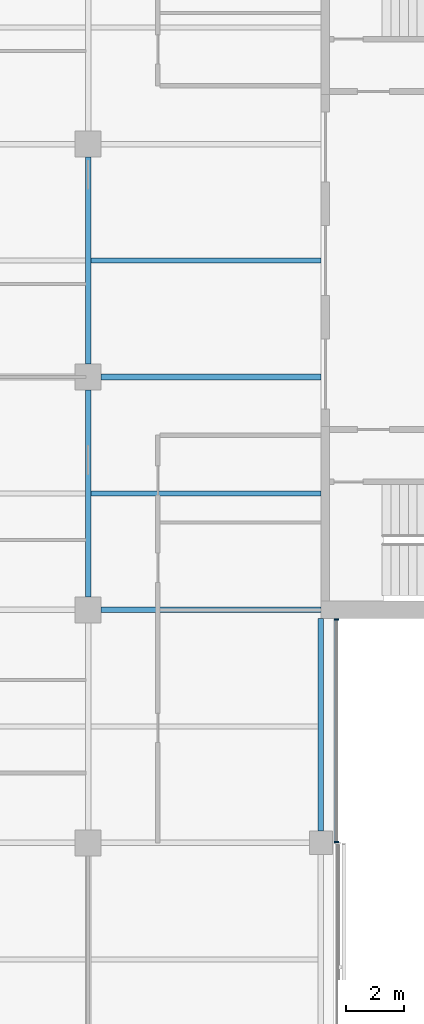
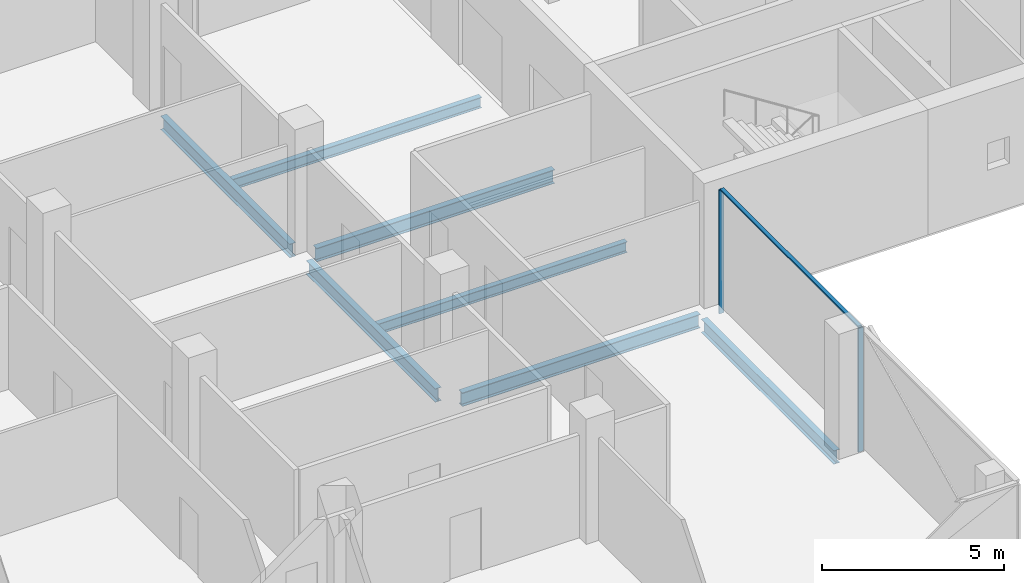
# One storey, part 4 of 15: 7 beams, 3 members, 1 element without a shape of its own.
"""IFC4 building model written with IfcOpenShell, lengths in metres."""

import ifcopenshell
import ifcopenshell.guid

model = None  # the IFC model being written
_history = None  # IfcOwnerHistory: only IFC2X3 demands one
_inside = {}  # id of a spatial element -> (the spatial element, [elements in it])
_under = {}  # id of a project, library or spatial element -> (it, [spatial elements below it])
_declared = {}  # id of a project -> (the project, [libraries it declares])
_typed = {}  # id of a type object -> (the type object, [elements of that type])
_made_of = {}  # id of a material, layer set ... -> (it, [elements and type objects made of it])


def new_model(schema):
    """Start an empty IFC model of exactly this schema.

    Asked for "IFC4X3", IfcOpenShell would pick the latest addendum, in which some entities
    have other attributes; the version numbers below select the first issue.
    IFC2X3 requires an IfcOwnerHistory on every rooted entity: one is made here for all.
    """
    global model, _history
    if schema == "IFC4X3":
        model = ifcopenshell.file(schema_version=(4, 3, 0, 0))
    else:
        model = ifcopenshell.file(schema=schema)
    _inside.clear()
    _under.clear()
    _declared.clear()
    _typed.clear()
    _made_of.clear()
    _history = None
    if model.schema == "IFC2X3":
        org = make("IfcOrganization", Name="unknown")
        user = make(
            "IfcPersonAndOrganization",
            ThePerson=make("IfcPerson", FamilyName="unknown"),
            TheOrganization=org,
        )
        app = make(
            "IfcApplication",
            ApplicationDeveloper=org,
            Version="unknown",
            ApplicationFullName="unknown",
            ApplicationIdentifier="unknown",
        )
        _history = make(
            "IfcOwnerHistory",
            OwningUser=user,
            OwningApplication=app,
            ChangeAction="ADDED",
            CreationDate=0,
        )
    return model


def make(cls, **values):
    """One entity of the class cls with the attributes given. An attribute that is None is left unset."""
    return model.create_entity(
        cls, **{name: value for name, value in values.items() if value is not None}
    )


def rooted(cls, **values):
    """An entity with a GlobalId (a new one), such as an element, a storey or a relation."""
    return make(cls, GlobalId=ifcopenshell.guid.new(), OwnerHistory=_history, **values)


def si_unit(unit_type, name, prefix=None):
    """IfcSIUnit, for example si_unit("LENGTHUNIT", "METRE", prefix="MILLI")."""
    return make("IfcSIUnit", UnitType=unit_type, Prefix=prefix, Name=name)


def assignment(units):
    """IfcUnitAssignment: the units of a project."""
    return None if units is None else make("IfcUnitAssignment", Units=units)


def point(xyz):
    """IfcCartesianPoint."""
    return None if xyz is None else make("IfcCartesianPoint", Coordinates=xyz)


def direction(xyz):
    """IfcDirection."""
    return None if xyz is None else make("IfcDirection", DirectionRatios=xyz)


def frame(location, z_axis=None, x_axis=None):
    """IfcAxis2Placement3D, a coordinate frame: its origin and axes. An axis left out is left unset."""
    return make(
        "IfcAxis2Placement3D",
        Location=point(location),
        Axis=direction(z_axis),
        RefDirection=direction(x_axis),
    )


def frame_2d(location, x_axis=None):
    """IfcAxis2Placement2D, a coordinate frame in the plane: its origin and x axis."""
    return make(
        "IfcAxis2Placement2D", Location=point(location), RefDirection=direction(x_axis)
    )


def origin():
    """The frame at (0, 0, 0) with its axes left unset."""
    return frame((0.0, 0.0, 0.0))


def origin_2d():
    """The frame at (0, 0) in the plane with its x axis left unset."""
    return frame_2d((0.0, 0.0))


def place(relative_to, where):
    """IfcLocalPlacement: puts the frame where relative to a parent placement (None: the world)."""
    return make(
        "IfcLocalPlacement", PlacementRelTo=relative_to, RelativePlacement=where
    )


def context(
    kind, dimensions, precision=None, world=None, true_north=None, identifier=None
):
    """IfcGeometricRepresentationContext, for example the 3D "Model" context."""
    return make(
        "IfcGeometricRepresentationContext",
        ContextIdentifier=identifier,
        ContextType=kind,
        CoordinateSpaceDimension=dimensions,
        Precision=precision,
        WorldCoordinateSystem=world,
        TrueNorth=true_north,
    )


def subcontext(parent, identifier, kind, view, scale=None):
    """IfcGeometricRepresentationSubContext, for example "Body" below "Model"."""
    return make(
        "IfcGeometricRepresentationSubContext",
        ContextIdentifier=identifier,
        ContextType=kind,
        ParentContext=parent,
        TargetScale=scale,
        TargetView=view,
    )


def project(units=None, contexts=None):
    """IfcProject with its units and contexts."""
    return rooted(
        "IfcProject",
        Name="project",
        RepresentationContexts=contexts,
        UnitsInContext=assignment(units),
    )


def spatial(cls, under=None, at=None, **own):
    """A site, building, storey or space (cls), placed at a placement, below another one or the project."""
    s = rooted(cls, ObjectPlacement=at, **own)
    if under is not None:
        _under.setdefault(under.id(), (under, []))[1].append(s)
    return s


def profile(cls, at=None, kind="AREA", **sizes):
    """A parametric profile (cls). Its sizes go by their IFC names, for example OverallWidth=200.0."""
    return make(cls, ProfileType=kind, Position=at, **sizes)


def rectangle(**sizes):
    """IfcRectangleProfileDef."""
    return profile("IfcRectangleProfileDef", **sizes)


def i_section(**sizes):
    """IfcIShapeProfileDef."""
    return profile("IfcIShapeProfileDef", **sizes)


def extrude(swept, where, along, depth):
    """IfcExtrudedAreaSolid: the profile swept, set in the frame where, extruded along a direction by depth."""
    return make(
        "IfcExtrudedAreaSolid",
        SweptArea=swept,
        Position=where,
        ExtrudedDirection=direction(along),
        Depth=depth,
    )


def shape(context_of_items, identifier, shape_type, items):
    """IfcShapeRepresentation: the items that make up one representation, for example the "Body"."""
    return make(
        "IfcShapeRepresentation",
        ContextOfItems=context_of_items,
        RepresentationIdentifier=identifier,
        RepresentationType=shape_type,
        Items=items,
    )


def material(Name=None, Category=None):
    """IfcMaterial."""
    return make("IfcMaterial", Name=Name, Category=Category)


def material_profile(
    of_material, cross_section, Name=None, Category=None, Priority=None
):
    """IfcMaterialProfile: a cross section and its material."""
    return make(
        "IfcMaterialProfile",
        Name=Name,
        Material=of_material,
        Profile=cross_section,
        Priority=Priority,
        Category=Category,
    )


def profile_set(profiles, Name=None, composite=None):
    """IfcMaterialProfileSet."""
    return make(
        "IfcMaterialProfileSet",
        Name=Name,
        MaterialProfiles=profiles,
        CompositeProfile=composite,
    )


def made_of(thing, what):
    """Note that an element or type object is made of a material, layer set ...; save() writes the relation."""
    if what is not None:
        _made_of.setdefault(what.id(), (what, []))[1].append(thing)
    return thing


def type_object(cls, material=None, **own):
    """A type object (cls), such as IfcWallType, which elements share."""
    return made_of(rooted(cls, **own), material)


def element(
    cls,
    number,
    at=None,
    inside=None,
    cuts=None,
    type_object=None,
    material=None,
    context=None,
    identifier="Body",
    shape_type=None,
    held_by="IfcProductDefinitionShape",
    body=None,
    shapes=None,
    **own,
):
    """One element of the class cls, such as IfcWall. Its Tag is "e" and its number.

    at: its placement. inside: the storey or other place that contains it. cuts: it is an
    opening in that element (IfcRelVoidsElement). A single representation is given by context,
    identifier, shape_type and body (its items); several are given by shapes. held_by: the class
    of the entity that holds the representations. save() writes the other relations.
    """
    e = rooted(cls, Tag="e%d" % number, ObjectPlacement=at, **own)
    if body is not None:
        shapes = [shape(context, identifier, shape_type, body)]
    if shapes is not None:
        e.Representation = make(held_by, Representations=shapes)
    if inside is not None:
        _inside.setdefault(inside.id(), (inside, []))[1].append(e)
    if cuts is not None:
        rooted(
            "IfcRelVoidsElement", RelatingBuildingElement=cuts, RelatedOpeningElement=e
        )
    if type_object is not None:
        _typed.setdefault(type_object.id(), (type_object, []))[1].append(e)
    return made_of(e, material)


def aggregate(whole, parts):
    """IfcRelAggregates: a whole, such as a stair, and the parts it consists of."""
    return rooted("IfcRelAggregates", RelatingObject=whole, RelatedObjects=parts)


def save(model, path):
    """Write the relations noted so far, then the file.

    IfcRelAggregates (storeys below a building ...), IfcRelContainedInSpatialStructure (elements
    in a storey), IfcRelDefinesByType, IfcRelAssociatesMaterial and IfcRelDeclares: one each for
    every whole, place, type object, material and project.
    """
    for whole, parts in _under.values():
        aggregate(whole, parts)
    for where, things in _inside.values():
        rooted(
            "IfcRelContainedInSpatialStructure",
            RelatedElements=things,
            RelatingStructure=where,
        )
    for kind, things in _typed.values():
        rooted("IfcRelDefinesByType", RelatedObjects=things, RelatingType=kind)
    for what, things in _made_of.values():
        rooted("IfcRelAssociatesMaterial", RelatedObjects=things, RelatingMaterial=what)
    for by, libraries in _declared.values():
        rooted("IfcRelDeclares", RelatingContext=by, RelatedDefinitions=libraries)
    model.write(path)


model = new_model("IFC4")

# Units and contexts
model_context = context("Model", 3, precision=1e-05, world=origin(), true_north=direction((0.0, 1.0)))
body_context = subcontext(model_context, "Body", "Model", "MODEL_VIEW")
ifc_project = project(units=[si_unit("LENGTHUNIT", "METRE"), si_unit("AREAUNIT", "SQUARE_METRE"), si_unit("VOLUMEUNIT", "CUBIC_METRE"), si_unit("PLANEANGLEUNIT", "RADIAN"), si_unit("MASSUNIT", "GRAM", prefix="KILO")], contexts=[model_context])

# Site, building, storey
site_placement = place(None, origin())
site = spatial("IfcSite", under=ifc_project, at=site_placement, CompositionType="ELEMENT")
building_placement = place(site_placement, origin())
building = spatial("IfcBuilding", under=site, at=building_placement, Name="Crosswind Convention Tower", CompositionType="ELEMENT")
storey_placement = place(building_placement, frame((0.0, 0.0, 195.699951171875)))
storey = spatial("IfcBuildingStorey", under=building, at=storey_placement, Name="L41", CompositionType="ELEMENT", Elevation=195.699951171875)

# Beams
ifc_material_1 = material(Name="Steel S355", Category="steel")
ifc_material_profile_1 = material_profile(ifc_material_1, i_section(OverallWidth=0.18994140625, OverallDepth=0.45361328125, WebThickness=0.008544921875, FlangeThickness=0.0126953125, FilletRadius=0.01025390625, at=origin_2d()), Name="UB 457x191x67")
ifc_profile_set_1 = profile_set([ifc_material_profile_1], Name="Steel S355")
beam_type_1 = type_object("IfcBeamType", Name="Edge beam UB 457x191x67", PredefinedType="SPANDREL", material=ifc_profile_set_1)
beam_placement = place(storey_placement, frame((137.0, 80.39990234375, -0.52685546875), z_axis=(0.0, 1.0, 0.0), x_axis=(-1.0, 0.0, 0.0)))
element("IfcBeam", 1, at=beam_placement, inside=storey, type_object=beam_type_1, Name="B16 L41 edge beam 12", PredefinedType="SPANDREL", context=body_context, shape_type="SweptSolid", body=[
    extrude(i_section(OverallWidth=0.18994140625, OverallDepth=0.45361328125, WebThickness=0.008544921875, FlangeThickness=0.0126953125, FilletRadius=0.01025390625, at=origin_2d()), origin(), (0.0, 0.0, 1.0), 7.300048828125),
])
ifc_material_profile_2 = material_profile(ifc_material_1, i_section(OverallWidth=0.1904296875, OverallDepth=0.457275390625, WebThickness=0.009033203125, FlangeThickness=0.014404296875, FilletRadius=0.01025390625, at=origin_2d()), Name="UB 457x191x75")
ifc_profile_set_2 = profile_set([ifc_material_profile_2], Name="Steel S355")
beam_type_2 = type_object("IfcBeamType", Name="Girder UB 457x191x75", PredefinedType="BEAM", material=ifc_profile_set_2)
for number, where, z_axis, x_axis, name in (
    (2, (129.0, 88.449951171875, -0.528564453125), (0.0, 1.0, 0.0), (-1.0, 0.0, 0.0), "B2 L41 girder 18"),
    (3, (129.0, 96.449951171875, -0.528564453125), (0.0, 1.0, 0.0), (-1.0, 0.0, 0.0), "B2 L41 girder 19"),
):
    element("IfcBeam", number, at=place(storey_placement, frame(where, z_axis=z_axis, x_axis=x_axis)), inside=storey, type_object=beam_type_2, Name=name, PredefinedType="BEAM", context=body_context, shape_type="SweptSolid", body=[
        extrude(i_section(OverallWidth=0.1904296875, OverallDepth=0.457275390625, WebThickness=0.009033203125, FlangeThickness=0.014404296875, FilletRadius=0.01025390625, at=origin_2d()), origin(), (0.0, 0.0, 1.0), 7.10009765625),
    ])
ifc_material_profile_3 = material_profile(ifc_material_1, i_section(OverallWidth=0.19140625, OverallDepth=0.460205078125, WebThickness=0.010009765625, FlangeThickness=0.01611328125, FilletRadius=0.01025390625, at=origin_2d()), Name="UB 457x191x82")
ifc_profile_set_3 = profile_set([ifc_material_profile_3], Name="Steel S355")
beam_type_3 = type_object("IfcBeamType", Name="Girder at core wall UB 457x191x82", PredefinedType="BEAM", material=ifc_profile_set_3)
for number, where, z_axis, x_axis, name in (
    (4, (129.449951171875, 88.0, -0.530029296875), (1.0, 0.0, 0.0), (0.0, 1.0, 0.0), "B23 L41 girder at core wall 5"),
    (5, (129.449951171875, 96.0, -0.530029296875), (1.0, 0.0, 0.0), (0.0, 1.0, 0.0), "B23 L41 girder at core wall 6"),
):
    element("IfcBeam", number, at=place(storey_placement, frame(where, z_axis=z_axis, x_axis=x_axis)), inside=storey, type_object=beam_type_3, Name=name, PredefinedType="BEAM", context=body_context, shape_type="SweptSolid", body=[
        extrude(i_section(OverallWidth=0.19140625, OverallDepth=0.460205078125, WebThickness=0.010009765625, FlangeThickness=0.01611328125, FilletRadius=0.01025390625, at=origin_2d()), origin(), (0.0, 0.0, 1.0), 7.550048828125),
    ])

# Curtain wall, members
ifc_material_2 = material(Name="Aluminium unitised curtain wall", Category="aluminium")
curtain_wall_type = type_object("IfcCurtainWallType", Name="CORE END SLOT WALL 160", PredefinedType="USERDEFINED", material=ifc_material_2)
curtain_wall_placement = place(storey_placement, origin())
curtain_wall = element("IfcCurtainWall", 6, at=curtain_wall_placement, inside=storey, type_object=curtain_wall_type, Name="CW6 L41 S-E.1-2 slot", ObjectType="UNITISED", PredefinedType="USERDEFINED")
ifc_material_3 = material(Name="Aluminium mullion", Category="aluminium")
ifc_material_profile_4 = material_profile(ifc_material_3, rectangle(XDim=0.159912109375, YDim=0.050048828125, at=origin_2d()), Name="AL 160X50")
ifc_profile_set_4 = profile_set([ifc_material_profile_4], Name="Aluminium mullion")
member_type_1 = type_object("IfcMemberType", Name="MULLION 50X160", PredefinedType="MULLION", material=ifc_profile_set_4)
member_1_placement = place(storey_placement, frame((137.530029296875, 80.02490234375, -0.300048828125), z_axis=(0.0, 0.0, 1.0), x_axis=(1.0, 0.0, 0.0)))
member_1 = element("IfcMember", 7, at=member_1_placement, type_object=member_type_1, Name="CW6 mullion 1", PredefinedType="MULLION", context=body_context, shape_type="SweptSolid", body=[
    extrude(rectangle(XDim=0.159912109375, YDim=0.050048828125, at=origin_2d()), origin(), (0.0, 0.0, 1.0), 4.150146484375),
])
member_2_placement = place(storey_placement, frame((137.530029296875, 87.675048828125, -0.300048828125), z_axis=(0.0, 0.0, 1.0), x_axis=(1.0, 0.0, 0.0)))
member_2 = element("IfcMember", 8, at=member_2_placement, type_object=member_type_1, Name="CW6 mullion 2", PredefinedType="MULLION", context=body_context, shape_type="SweptSolid", body=[
    extrude(rectangle(XDim=0.159912109375, YDim=0.050048828125, at=origin_2d()), origin(), (0.0, 0.0, 1.0), 4.150146484375),
])

# Beams
ifc_material_profile_5 = material_profile(ifc_material_1, i_section(OverallWidth=0.172119140625, OverallDepth=0.358642578125, WebThickness=0.008056640625, FlangeThickness=0.012939453125, FilletRadius=0.01025390625, at=origin_2d()), Name="UB 356x171x57")
ifc_profile_set_5 = profile_set([ifc_material_profile_5], Name="Steel S355")
beam_type_4 = type_object("IfcBeamType", Name="Secondary beam UB 356x171x57", PredefinedType="JOIST", material=ifc_profile_set_5)
for number, where, z_axis, x_axis, name in (
    (9, (129.09521484375, 92.0, -0.479248046875), (1.0, 0.0, 0.0), (0.0, 1.0, 0.0), "B9 L41 secondary beam 17"),
    (10, (129.09521484375, 100.0, -0.479248046875), (1.0, 0.0, 0.0), (0.0, 1.0, 0.0), "B9 L41 secondary beam 18"),
):
    element("IfcBeam", number, at=place(storey_placement, frame(where, z_axis=z_axis, x_axis=x_axis)), inside=storey, type_object=beam_type_4, Name=name, PredefinedType="JOIST", context=body_context, shape_type="SweptSolid", body=[
        extrude(i_section(OverallWidth=0.172119140625, OverallDepth=0.358642578125, WebThickness=0.008056640625, FlangeThickness=0.012939453125, FilletRadius=0.01025390625, at=origin_2d()), origin(), (0.0, 0.0, 1.0), 7.90478515625),
    ])

# Member
ifc_material_4 = material(Name="Aluminium transom", Category="aluminium")
ifc_material_profile_6 = material_profile(ifc_material_4, rectangle(XDim=0.1201171875, YDim=0.050048828125, at=origin_2d()), Name="AL 120X50")
ifc_profile_set_6 = profile_set([ifc_material_profile_6], Name="Aluminium transom")
member_type_2 = type_object("IfcMemberType", Name="TRANSOM 50X120", PredefinedType="USERDEFINED", material=ifc_profile_set_6)
member_3_placement = place(storey_placement, frame((137.530029296875, 80.050048828125, 3.875), z_axis=(0.0, 1.0, 0.0), x_axis=(-1.0, 0.0, 0.0)))
member_3 = element("IfcMember", 11, at=member_3_placement, type_object=member_type_2, Name="CW6 transom", ObjectType="TRANSOM", PredefinedType="USERDEFINED", context=body_context, shape_type="SweptSolid", body=[
    extrude(rectangle(XDim=0.1201171875, YDim=0.050048828125, at=origin_2d()), origin(), (0.0, 0.0, 1.0), 7.599853515625),
])

aggregate(curtain_wall, [member_1, member_2, member_3])

save(model, "model.ifc")
